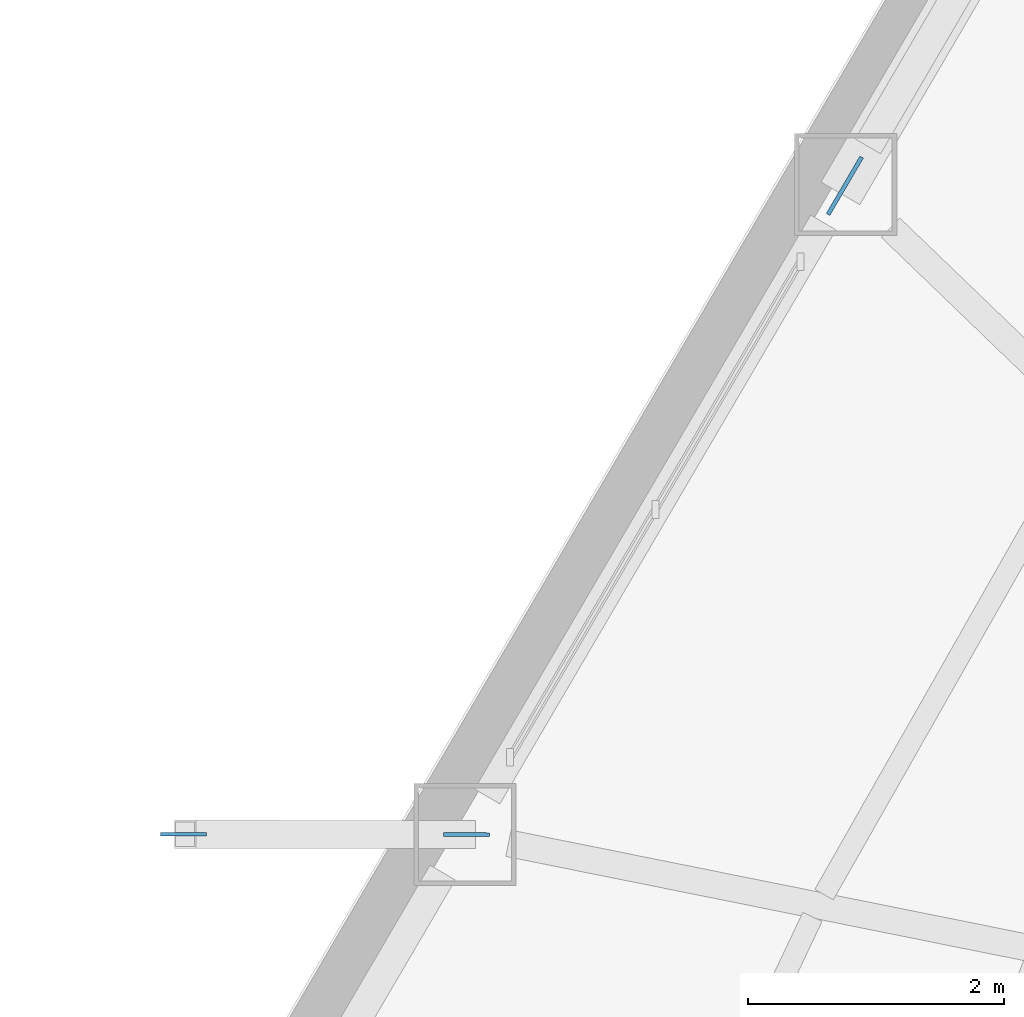
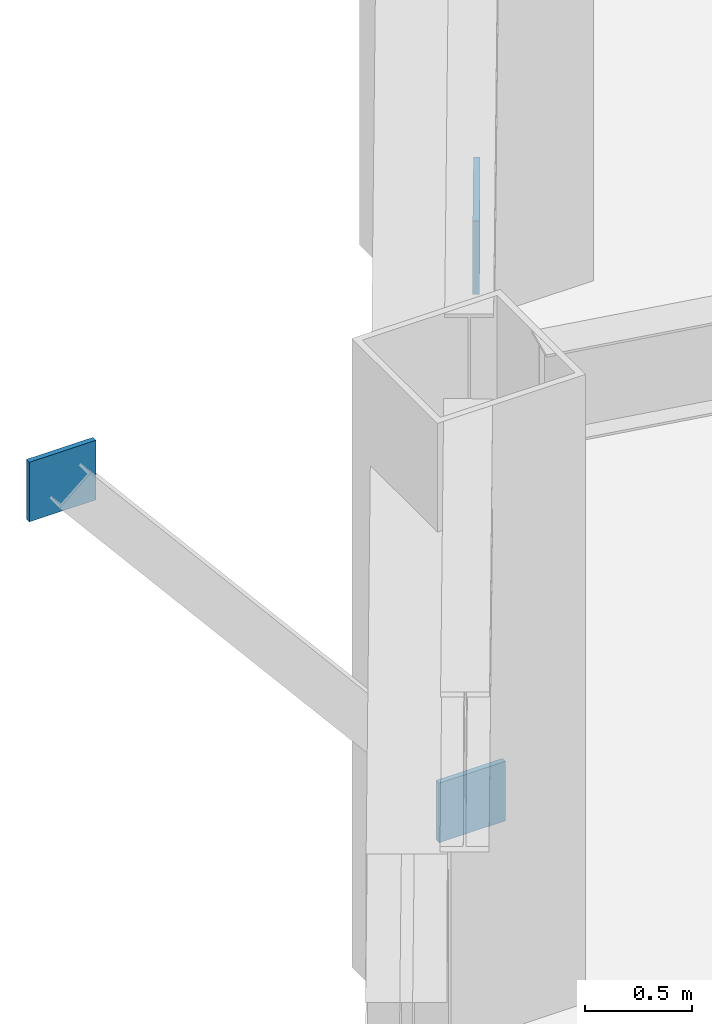
# One storey, part 6 of 15: 3 plates.
"""IFC4 building model written with IfcOpenShell, lengths in metres."""

from ifc_helpers import new_model, si_unit, direction, frame, origin, origin_2d, place, context, subcontext, project, spatial, rectangle, extrude, material, layer, layer_set, type_object, element, save


model = new_model("IFC4")

# Units and contexts
model_context = context("Model", 3, precision=1e-05, world=origin(), true_north=direction((0.0, 1.0)))
body_context = subcontext(model_context, "Body", "Model", "MODEL_VIEW")
ifc_project = project(units=[si_unit("LENGTHUNIT", "METRE"), si_unit("AREAUNIT", "SQUARE_METRE"), si_unit("VOLUMEUNIT", "CUBIC_METRE"), si_unit("PLANEANGLEUNIT", "RADIAN"), si_unit("MASSUNIT", "GRAM", prefix="KILO")], contexts=[model_context])

# Site, building, storey
site_placement = place(None, origin())
site = spatial("IfcSite", under=ifc_project, at=site_placement, CompositionType="ELEMENT")
building_placement = place(site_placement, origin())
building = spatial("IfcBuilding", under=site, at=building_placement, Name="Kavelnor Concourse Tower", CompositionType="ELEMENT")
storey_placement = place(building_placement, frame((0.0, 0.0, 67.60009765625)))
storey = spatial("IfcBuildingStorey", under=building, at=storey_placement, Name="L17", CompositionType="ELEMENT", Elevation=67.60009765625)

# Plates
ifc_material = material(Name="Steel Grade 350", Category="steel")
ifc_layer_1 = layer(ifc_material, 0.028076171875, Name="Steel Grade 350")
ifc_layer_set_1 = layer_set([ifc_layer_1], Name="Steel Grade 350")
plate_type_1 = type_object("IfcPlateType", Name="PL-GUSSET-FOLD", PredefinedType="USERDEFINED", material=ifc_layer_set_1)
for number, where, z_axis, x_axis, name in (
    (1, (18.953125, 23.799560546875, 0.8798828125), (0.0, 0.0, 1.0), (-0.999999451689, 0.00104719736, 0.0), "L17 Balcony Strut Gusset GP4 1-A End Gusset A"),
    (2, (16.74169921875, 23.802001953125, 3.48486328125), (0.0, 0.0, 1.0), (-0.999999451689, 0.00104719736, 0.0), "L17 Balcony Strut Gusset GP4 1-A End Gusset B"),
):
    element("IfcPlate", number, at=place(storey_placement, frame(where, z_axis=z_axis, x_axis=x_axis)), inside=storey, type_object=plate_type_1, Name=name, ObjectType="GUSSET_PLATE", PredefinedType="USERDEFINED", context=body_context, shape_type="SweptSolid", body=[
        extrude(rectangle(XDim=0.360107421875, YDim=0.028076171875, at=origin_2d()), origin(), (0.0, 0.0, 1.0), 0.340087890625),
    ])
ifc_layer_2 = layer(ifc_material, 0.031982421875, Name="Steel Grade 350")
ifc_layer_set_2 = layer_set([ifc_layer_2], Name="Steel Grade 350")
plate_type_2 = type_object("IfcPlateType", Name="PL-GUSSET-TUBE-Z1", PredefinedType="USERDEFINED", material=ifc_layer_set_2)
plate_placement = place(storey_placement, frame((21.91162109375, 28.87158203125, 0.010009765625), z_axis=(0.0, 0.0, 1.0), x_axis=(0.505280886365, 0.862954938496, 0.0)))
element("IfcPlate", 3, at=plate_placement, inside=storey, type_object=plate_type_2, Name="L17 Tube Brace Gusset GP3 F0-B2 End Gusset A", ObjectType="GUSSET_PLATE", PredefinedType="USERDEFINED", context=body_context, shape_type="SweptSolid", body=[
    extrude(rectangle(XDim=0.52001953125, YDim=0.031982421875, at=origin_2d()), origin(), (0.0, 0.0, 1.0), 0.419921875),
])

save(model, "model.ifc")
